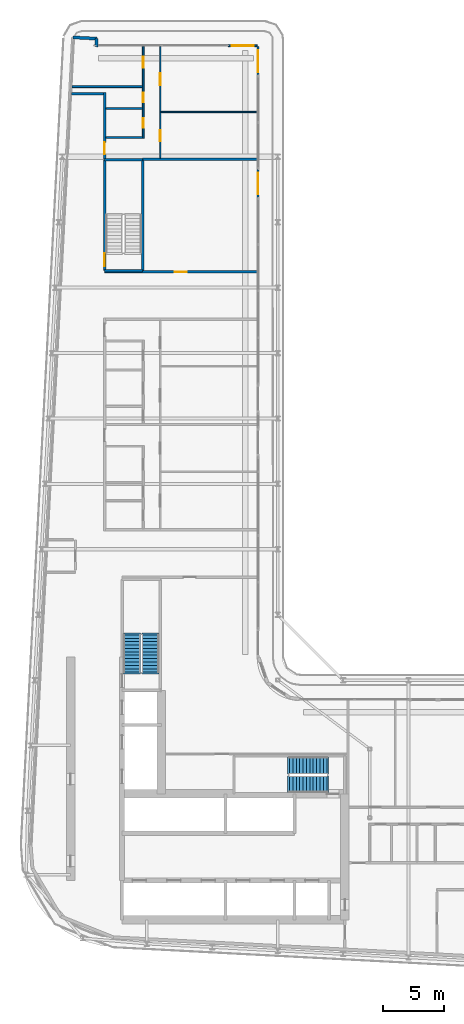
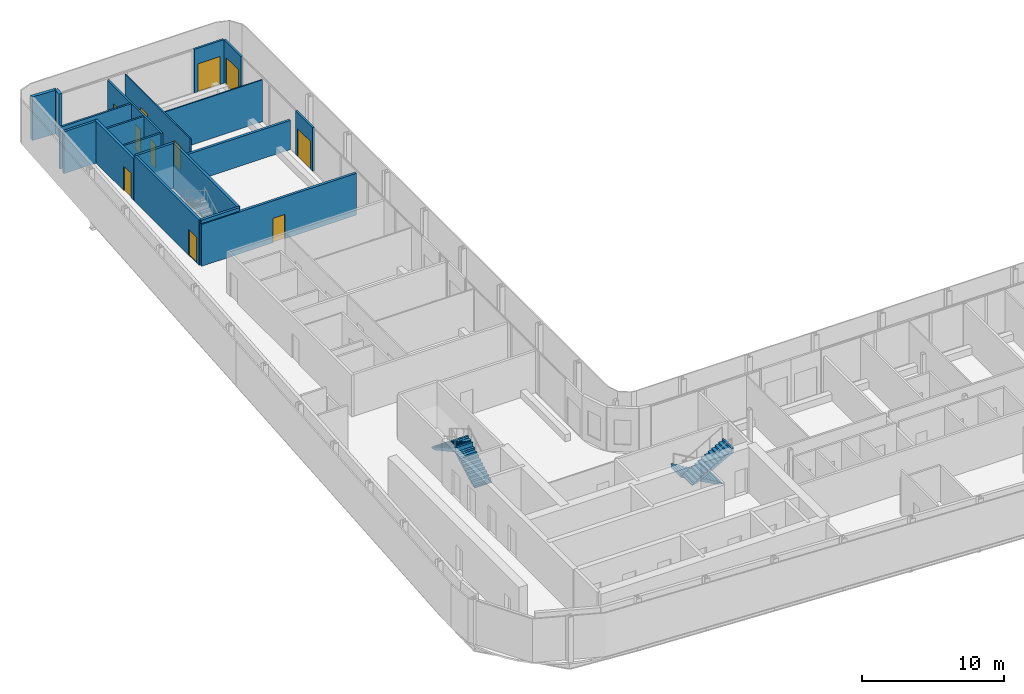
# One storey, part 14 of 22: 19 walls, 11 doors, 4 stair flights, 11 openings, 2 elements without a shape of their own.
"""IFC4 building model written with IfcOpenShell, lengths in metres."""

from ifc_helpers import new_model, si_unit, direction, frame, frame_2d, origin, place, context, subcontext, project, spatial, polyline, rectangle, outline, extrude, source, transform, mapped, material, layer, layer_set, type_object, element, fill, aggregate, save


model = new_model("IFC4")

# Units and contexts
model_context = context("Model", 3, precision=1e-05, world=origin(), true_north=direction((0.0, 1.0)))
body_context = subcontext(model_context, "Body", "Model", "MODEL_VIEW")
ifc_project = project(units=[si_unit("LENGTHUNIT", "METRE"), si_unit("AREAUNIT", "SQUARE_METRE"), si_unit("VOLUMEUNIT", "CUBIC_METRE"), si_unit("PLANEANGLEUNIT", "RADIAN"), si_unit("MASSUNIT", "GRAM", prefix="KILO")], contexts=[model_context])

# Site, building, storey
site_placement = place(None, origin())
site = spatial("IfcSite", under=ifc_project, at=site_placement, CompositionType="ELEMENT")
building_placement = place(site_placement, origin())
building = spatial("IfcBuilding", under=site, at=building_placement, Name="Kheshtan School and Residences Tower", CompositionType="ELEMENT")
storey_placement = place(building_placement, frame((0.0, 0.0, 255.199951171875)))
storey = spatial("IfcBuildingStorey", under=building, at=storey_placement, Name="L60", CompositionType="ELEMENT", Elevation=255.199951171875)

# Wall
ifc_material_1 = material(Name="Gypsum board on steel studs with fire boards", Category="steel")
ifc_layer_1 = layer(ifc_material_1, 0.199951171875)
ifc_layer_set_1 = layer_set([ifc_layer_1], Name="Corridor wall 200")
wall_type_1 = type_object("IfcWallType", Name="Corridor wall 200", PredefinedType="PARTITIONING", material=ifc_layer_set_1)
wall_1_placement = place(storey_placement, frame((30.584716796875, 94.0, 0.0), z_axis=(0.0, 0.0, 1.0), x_axis=(1.0, 0.0, 0.0)))
element("IfcWall", 1, at=wall_1_placement, inside=storey, type_object=wall_type_1, Name="Partition L60-002", PredefinedType="PARTITIONING", context=body_context, shape_type="SweptSolid", body=[
    extrude(rectangle(XDim=2.615234375, YDim=0.199951171875, at=frame_2d((1.3076171875, 0.0))), origin(), (0.0, 0.0, 1.0), 3.60009765625),
])

# Wall, opening, door
wall_2_placement = place(storey_placement, frame((33.300048828125, 79.300048828125, 0.0), z_axis=(0.0, 0.0, 1.0), x_axis=(1.0, 0.0, 0.0)))
wall_2 = element("IfcWall", 2, at=wall_2_placement, inside=storey, type_object=wall_type_1, Name="Partition L60-004", PredefinedType="PARTITIONING", context=body_context, shape_type="SweptSolid", body=[
    extrude(rectangle(XDim=12.599853515625, YDim=0.199951171875, at=frame_2d((6.2998046875, 0.0))), origin(), (0.0, 0.0, 1.0), 3.60009765625),
])
opening_1_placement = place(wall_2_placement, frame((5.794921875, 0.0, 0.0)))
opening_1 = element("IfcOpeningElement", 3, at=opening_1_placement, cuts=wall_2, Name="Opening D58-043", PredefinedType="OPENING", context=body_context, shape_type="SweptSolid", body=[
    extrude(rectangle(XDim=1.0, YDim=2.10009765625, at=frame_2d((0.5, 1.050048828125))), frame((0.0, 0.10986328125, 0.0), z_axis=(0.0, -1.0, 0.0), x_axis=(1.0, 0.0, 0.0)), (0.0, 0.0, 1.0), 0.219970703125),
])
ifc_material_2 = material(Name="Steel-framed fire-resisting door leaf", Category="steel")
door_type_1 = type_object("IfcDoorType", Name="Fire door FD60 1000 x 2100", OperationType="SINGLE_SWING_LEFT", PredefinedType="DOOR", material=ifc_material_2)
shared_shape_1 = source(origin(), body_context, "Body", "SweptSolid", [
    extrude(rectangle(XDim=1.0, YDim=2.10009765625, at=frame_2d((0.5, 1.050048828125))), frame((0.0, 0.02490234375, 0.0), z_axis=(0.0, -1.0, 0.0), x_axis=(1.0, 0.0, 0.0)), (0.0, 0.0, 1.0), 0.050048828125),
])
door_1_placement = place(opening_1_placement, origin())
door_1 = element("IfcDoor", 4, at=door_1_placement, inside=storey, type_object=door_type_1, Name="Door D58-043", OperationType="SINGLE_SWING_RIGHT", OverallHeight=2.10009765625, OverallWidth=1.0, PredefinedType="DOOR", context=body_context, shape_type="MappedRepresentation", body=[
    mapped(shared_shape_1, transform((0.0, 0.0, 0.0), x_axis=(1.0, 0.0, 0.0), y_axis=(0.0, 1.0, 0.0), z_axis=(0.0, 0.0, 1.0), scale=1.0)),
])
fill(opening_1, door_1)

wall_3_placement = place(storey_placement, frame((33.300048828125, 88.60009765625, 0.0), z_axis=(0.0, 0.0, 1.0), x_axis=(0.0, 1.0, 0.0)))
wall_3 = element("IfcWall", 5, at=wall_3_placement, inside=storey, type_object=wall_type_1, Name="Partition L60-005", PredefinedType="PARTITIONING", context=body_context, shape_type="SweptSolid", body=[
    extrude(rectangle(XDim=5.5, YDim=0.199951171875, at=frame_2d((2.75, 0.0))), origin(), (0.0, 0.0, 1.0), 3.60009765625),
])
opening_2_placement = place(wall_3_placement, frame((0.39990234375, 0.0, 0.0)))
opening_2 = element("IfcOpeningElement", 6, at=opening_2_placement, cuts=wall_3, Name="Opening D58-036", PredefinedType="OPENING", context=body_context, shape_type="SweptSolid", body=[
    extrude(rectangle(XDim=1.0, YDim=2.10009765625, at=frame_2d((0.5, 1.050048828125))), frame((0.0, 0.10986328125, 0.0), z_axis=(0.0, -1.0, 0.0), x_axis=(1.0, 0.0, 0.0)), (0.0, 0.0, 1.0), 0.219970703125),
])
door_type_2 = type_object("IfcDoorType", Name="Fire door FD30S 1000 x 2100", OperationType="SINGLE_SWING_LEFT", PredefinedType="DOOR", material=ifc_material_2)
shared_shape_2 = source(origin(), body_context, "Body", "SweptSolid", [
    extrude(rectangle(XDim=1.0, YDim=2.10009765625, at=frame_2d((0.5, 1.050048828125))), frame((0.0, 0.02490234375, 0.0), z_axis=(0.0, -1.0, 0.0), x_axis=(1.0, 0.0, 0.0)), (0.0, 0.0, 1.0), 0.050048828125),
])
door_2_placement = place(opening_2_placement, origin())
door_2 = element("IfcDoor", 7, at=door_2_placement, inside=storey, type_object=door_type_2, Name="Door D58-036", OperationType="SINGLE_SWING_LEFT", OverallHeight=2.10009765625, OverallWidth=1.0, PredefinedType="DOOR", context=body_context, shape_type="MappedRepresentation", body=[
    mapped(shared_shape_2, transform((0.0, 0.0, 0.0), x_axis=(1.0, 0.0, 0.0), y_axis=(0.0, 1.0, 0.0), z_axis=(0.0, 0.0, 1.0), scale=1.0)),
])
fill(opening_2, door_2)

# Walls
ifc_material_3 = material(Name="Concrete C40/50 with ceramic cladding and mineral wool insulation", Category="concrete")
ifc_layer_2 = layer(ifc_material_3, 0.25)
ifc_layer_set_2 = layer_set([ifc_layer_2], Name="External wall 250 ceramic clad")
wall_type_2 = type_object("IfcWallType", Name="External wall 250 ceramic clad", PredefinedType="SOLIDWALL", material=ifc_layer_set_2)
wall_4_placement = place(storey_placement, frame((30.705078125, 98.6640625, 0.0), z_axis=(0.0, 0.0, 1.0), x_axis=(0.998577785791, -0.053314216913, 0.0)))
element("IfcWall", 8, at=wall_4_placement, inside=storey, type_object=wall_type_2, Name="External wall L60 5", PredefinedType="SOLIDWALL", context=body_context, shape_type="SweptSolid", body=[
    extrude(rectangle(XDim=1.95068359375, YDim=0.25, at=frame_2d((0.975341796875, 0.0))), origin(), (0.0, 0.0, 1.0), 3.75),
])
wall_5_placement = place(storey_placement, frame((32.653076171875, 98.56005859375, 0.0), z_axis=(0.0, 0.0, 1.0), x_axis=(-0.054093451632, -0.998535877418, 0.0)))
element("IfcWall", 9, at=wall_5_placement, inside=storey, type_object=wall_type_2, Name="External wall L60 6", PredefinedType="SOLIDWALL", context=body_context, shape_type="SweptSolid", body=[
    extrude(rectangle(XDim=0.66796875, YDim=0.25, at=frame_2d((0.333984375, 0.0))), origin(), (0.0, 0.0, 1.0), 3.75),
])

# Wall, opening, door
ifc_material_4 = material(Name="Aluminium frame wall with insulated infill", Category="aluminium")
ifc_layer_3 = layer(ifc_material_4, 0.14990234375)
ifc_layer_set_3 = layer_set([ifc_layer_3], Name="Glazing frame wall 150")
wall_type_3 = type_object("IfcWallType", Name="Glazing frame wall 150", PredefinedType="SOLIDWALL", material=ifc_layer_set_3)
wall_6_placement = place(storey_placement, frame((43.5, 97.97509765625, 0.0), z_axis=(0.0, 0.0, 1.0), x_axis=(1.0, 0.0, 0.0)))
wall_6 = element("IfcWall", 10, at=wall_6_placement, inside=storey, type_object=wall_type_3, Name="Balcony door wall L60 7.1", PredefinedType="SOLIDWALL", context=body_context, shape_type="SweptSolid", body=[
    extrude(rectangle(XDim=2.39990234375, YDim=0.14990234375, at=frame_2d((1.199951171875, 0.0))), origin(), (0.0, 0.0, 1.0), 3.75),
])
opening_3_placement = place(wall_6_placement, frame((0.300048828125, 0.0, 0.0)))
opening_3 = element("IfcOpeningElement", 11, at=opening_3_placement, cuts=wall_6, Name="Opening BD", PredefinedType="OPENING", context=body_context, shape_type="SweptSolid", body=[
    extrude(rectangle(XDim=1.800048828125, YDim=2.39990234375, at=frame_2d((0.89990234375, 1.199951171875))), frame((0.0, 0.0849609375, 0.0), z_axis=(0.0, -1.0, 0.0), x_axis=(1.0, 0.0, 0.0)), (0.0, 0.0, 1.0), 0.169921875),
])
ifc_material_5 = material(Name="Clear low-e glass in thermally broken aluminium frame", Category="aluminium")
door_type_3 = type_object("IfcDoorType", Name="Balcony sliding door", OperationType="SLIDING_TO_LEFT", PredefinedType="DOOR", material=ifc_material_5)
shared_shape_3 = source(origin(), body_context, "Body", "SweptSolid", [
    extrude(rectangle(XDim=1.800048828125, YDim=2.39990234375, at=frame_2d((0.89990234375, 1.199951171875))), frame((0.0, 0.02490234375, 0.0), z_axis=(0.0, -1.0, 0.0), x_axis=(1.0, 0.0, 0.0)), (0.0, 0.0, 1.0), 0.050048828125),
])
door_3_placement = place(opening_3_placement, origin())
door_3 = element("IfcDoor", 12, at=door_3_placement, inside=storey, type_object=door_type_3, Name="Balcony door L60 7.1", OperationType="SLIDING_TO_LEFT", OverallHeight=2.39990234375, OverallWidth=1.800048828125, PredefinedType="DOOR", context=body_context, shape_type="MappedRepresentation", body=[
    mapped(shared_shape_3, transform((0.0, 0.0, 0.0), x_axis=(1.0, 0.0, 0.0), y_axis=(0.0, 1.0, 0.0), z_axis=(0.0, 0.0, 1.0), scale=1.0)),
])
fill(opening_3, door_3)

wall_7_placement = place(storey_placement, frame((45.97509765625, 97.89990234375, 0.0), z_axis=(0.0, 0.0, 1.0), x_axis=(0.0, -1.0, 0.0)))
wall_7 = element("IfcWall", 13, at=wall_7_placement, inside=storey, type_object=wall_type_3, Name="Balcony door wall L60 8.1", PredefinedType="SOLIDWALL", context=body_context, shape_type="SweptSolid", body=[
    extrude(rectangle(XDim=2.39990234375, YDim=0.14990234375, at=frame_2d((1.199951171875, 0.0))), origin(), (0.0, 0.0, 1.0), 3.75),
])
opening_4_placement = place(wall_7_placement, frame((0.300048828125, 0.0, 0.0)))
opening_4 = element("IfcOpeningElement", 14, at=opening_4_placement, cuts=wall_7, Name="Opening BD", PredefinedType="OPENING", context=body_context, shape_type="SweptSolid", body=[
    extrude(rectangle(XDim=1.800048828125, YDim=2.39990234375, at=frame_2d((0.89990234375, 1.199951171875))), frame((0.0, 0.0849609375, 0.0), z_axis=(0.0, -1.0, 0.0), x_axis=(1.0, 0.0, 0.0)), (0.0, 0.0, 1.0), 0.169921875),
])
door_4_placement = place(opening_4_placement, origin())
door_4 = element("IfcDoor", 15, at=door_4_placement, inside=storey, type_object=door_type_3, Name="Balcony door L60 8.1", OperationType="SLIDING_TO_LEFT", OverallHeight=2.39990234375, OverallWidth=1.800048828125, PredefinedType="DOOR", context=body_context, shape_type="MappedRepresentation", body=[
    mapped(shared_shape_3, transform((0.0, 0.0, 0.0), x_axis=(1.0, 0.0, 0.0), y_axis=(0.0, 1.0, 0.0), z_axis=(0.0, 0.0, 1.0), scale=1.0)),
])
fill(opening_4, door_4)

wall_8_placement = place(storey_placement, frame((45.97509765625, 87.805908203125, 0.0), z_axis=(0.0, 0.0, 1.0), x_axis=(0.0, -1.0, 0.0)))
wall_8 = element("IfcWall", 16, at=wall_8_placement, inside=storey, type_object=wall_type_3, Name="Balcony door wall L60 8.2", PredefinedType="SOLIDWALL", context=body_context, shape_type="SweptSolid", body=[
    extrude(rectangle(XDim=2.39990234375, YDim=0.14990234375, at=frame_2d((1.199951171875, 0.0))), origin(), (0.0, 0.0, 1.0), 3.75),
])
opening_5_placement = place(wall_8_placement, frame((0.300048828125, 0.0, 0.0)))
opening_5 = element("IfcOpeningElement", 17, at=opening_5_placement, cuts=wall_8, Name="Opening BD", PredefinedType="OPENING", context=body_context, shape_type="SweptSolid", body=[
    extrude(rectangle(XDim=1.800048828125, YDim=2.39990234375, at=frame_2d((0.89990234375, 1.199951171875))), frame((0.0, 0.0849609375, 0.0), z_axis=(0.0, -1.0, 0.0), x_axis=(1.0, 0.0, 0.0)), (0.0, 0.0, 1.0), 0.169921875),
])
door_5_placement = place(opening_5_placement, origin())
door_5 = element("IfcDoor", 18, at=door_5_placement, inside=storey, type_object=door_type_3, Name="Balcony door L60 8.2", OperationType="SLIDING_TO_LEFT", OverallHeight=2.39990234375, OverallWidth=1.800048828125, PredefinedType="DOOR", context=body_context, shape_type="MappedRepresentation", body=[
    mapped(shared_shape_3, transform((0.0, 0.0, 0.0), x_axis=(1.0, 0.0, 0.0), y_axis=(0.0, 1.0, 0.0), z_axis=(0.0, 0.0, 1.0), scale=1.0)),
])
fill(opening_5, door_5)

# Wall, openings, doors
ifc_material_6 = material(Name="Gypsum board on steel studs", Category="steel")
ifc_layer_4 = layer(ifc_material_6, 0.10009765625)
ifc_layer_set_4 = layer_set([ifc_layer_4], Name="Gypsum partition 100")
wall_type_4 = type_object("IfcWallType", Name="Gypsum partition 100", PredefinedType="PARTITIONING", material=ifc_layer_set_4)
wall_9_placement = place(storey_placement, frame((37.89990234375, 88.699951171875, 0.0), z_axis=(0.0, 0.0, 1.0), x_axis=(0.0, 1.0, 0.0)))
wall_9 = element("IfcWall", 19, at=wall_9_placement, inside=storey, type_object=wall_type_4, Name="Partition L60-024", PredefinedType="PARTITIONING", context=body_context, shape_type="SweptSolid", body=[
    extrude(rectangle(XDim=9.199951171875, YDim=0.10009765625, at=frame_2d((4.60009765625, 0.0))), origin(), (0.0, 0.0, 1.0), 3.60009765625),
])
opening_6_placement = place(wall_9_placement, frame((1.39990234375, 0.0, 0.0)))
opening_6 = element("IfcOpeningElement", 20, at=opening_6_placement, cuts=wall_9, Name="Opening D58-035", PredefinedType="OPENING", context=body_context, shape_type="SweptSolid", body=[
    extrude(rectangle(XDim=0.89990234375, YDim=2.10009765625, at=frame_2d((0.449951171875, 1.050048828125))), frame((0.0, 0.06005859375, 0.0), z_axis=(0.0, -1.0, 0.0), x_axis=(1.0, 0.0, 0.0)), (0.0, 0.0, 1.0), 0.1201171875),
])
opening_7_placement = place(wall_9_placement, frame((6.0, 0.0, 0.0)))
opening_7 = element("IfcOpeningElement", 21, at=opening_7_placement, cuts=wall_9, Name="Opening D58-038", PredefinedType="OPENING", context=body_context, shape_type="SweptSolid", body=[
    extrude(rectangle(XDim=1.0, YDim=2.10009765625, at=frame_2d((0.5, 1.050048828125))), frame((0.0, 0.06005859375, 0.0), z_axis=(0.0, -1.0, 0.0), x_axis=(1.0, 0.0, 0.0)), (0.0, 0.0, 1.0), 0.1201171875),
])
ifc_material_7 = material(Name="Veneered timber door leaf", Category="wood")
door_type_4 = type_object("IfcDoorType", Name="Door 1000 x 2100", OperationType="SINGLE_SWING_LEFT", PredefinedType="DOOR", material=ifc_material_7)
shared_shape_4 = source(origin(), body_context, "Body", "SweptSolid", [
    extrude(rectangle(XDim=1.0, YDim=2.10009765625, at=frame_2d((0.5, 1.050048828125))), frame((0.0, 0.02490234375, 0.0), z_axis=(0.0, -1.0, 0.0), x_axis=(1.0, 0.0, 0.0)), (0.0, 0.0, 1.0), 0.050048828125),
])
door_6_placement = place(opening_7_placement, origin())
door_6 = element("IfcDoor", 22, at=door_6_placement, inside=storey, type_object=door_type_4, Name="Door D58-038", OperationType="SINGLE_SWING_RIGHT", OverallHeight=2.10009765625, OverallWidth=1.0, PredefinedType="DOOR", context=body_context, shape_type="MappedRepresentation", body=[
    mapped(shared_shape_4, transform((0.0, 0.0, 0.0), x_axis=(1.0, 0.0, 0.0), y_axis=(0.0, 1.0, 0.0), z_axis=(0.0, 0.0, 1.0), scale=1.0)),
])
fill(opening_7, door_6)
door_type_5 = type_object("IfcDoorType", Name="Door 900 x 2100", OperationType="SINGLE_SWING_LEFT", PredefinedType="DOOR", material=ifc_material_7)
shared_shape_5 = source(origin(), body_context, "Body", "SweptSolid", [
    extrude(rectangle(XDim=0.89990234375, YDim=2.10009765625, at=frame_2d((0.449951171875, 1.050048828125))), frame((0.0, 0.02490234375, 0.0), z_axis=(0.0, -1.0, 0.0), x_axis=(1.0, 0.0, 0.0)), (0.0, 0.0, 1.0), 0.050048828125),
])
door_7_placement = place(opening_6_placement, origin())
door_7 = element("IfcDoor", 23, at=door_7_placement, inside=storey, type_object=door_type_5, Name="Door D58-035", OperationType="SINGLE_SWING_LEFT", OverallHeight=2.10009765625, OverallWidth=0.89990234375, PredefinedType="DOOR", context=body_context, shape_type="MappedRepresentation", body=[
    mapped(shared_shape_5, transform((0.0, 0.0, 0.0), x_axis=(1.0, 0.0, 0.0), y_axis=(0.0, 1.0, 0.0), z_axis=(0.0, 0.0, 1.0), scale=1.0)),
])
fill(opening_6, door_7)

# Walls
wall_10_placement = place(storey_placement, frame((37.949951171875, 92.5, 0.0), z_axis=(0.0, 0.0, 1.0), x_axis=(1.0, 0.0, 0.0)))
element("IfcWall", 24, at=wall_10_placement, inside=storey, type_object=wall_type_4, Name="Partition L60-027", PredefinedType="PARTITIONING", context=body_context, shape_type="SweptSolid", body=[
    extrude(rectangle(XDim=7.949951171875, YDim=0.10009765625, at=frame_2d((3.97509765625, 0.0))), origin(), (0.0, 0.0, 1.0), 3.60009765625),
])
ifc_material_8 = material(Name="Concrete C40/50", Category="concrete")
ifc_layer_5 = layer(ifc_material_8, 0.199951171875)
ifc_layer_set_5 = layer_set([ifc_layer_5], Name="Stair enclosure wall 200 Concrete C40/50")
wall_type_5 = type_object("IfcWallType", Name="Stair enclosure wall 200 Concrete C40/50", PredefinedType="SHEAR", material=ifc_layer_set_5)
for number, where, z_axis, x_axis, name in (
    (25, (33.300048828125, 79.39990234375, 0.0), (0.0, 0.0, 1.0), (1.0, 0.0, 0.0), "Stair enclosure wall ST3"),
    (26, (33.300048828125, 88.56005859375, 0.0), (0.0, 0.0, 1.0), (1.0, 0.0, 0.0), "Stair enclosure wall ST3"),
):
    element("IfcWall", number, at=place(storey_placement, frame(where, z_axis=z_axis, x_axis=x_axis)), inside=storey, type_object=wall_type_5, Name=name, PredefinedType="SHEAR", context=body_context, shape_type="SweptSolid", body=[
        extrude(rectangle(XDim=3.14990234375, YDim=0.199951171875, at=frame_2d((1.574951171875, 0.0))), origin(), (0.0, 0.0, 1.0), 3.900146484375),
    ])

# Wall, opening, door
wall_11_placement = place(storey_placement, frame((33.300048828125, 79.39990234375, 0.0), z_axis=(0.0, 0.0, 1.0), x_axis=(0.0, 1.0, 0.0)))
wall_11 = element("IfcWall", 27, at=wall_11_placement, inside=storey, type_object=wall_type_5, Name="Stair enclosure wall ST3", PredefinedType="SHEAR", context=body_context, shape_type="SweptSolid", body=[
    extrude(rectangle(XDim=9.16015625, YDim=0.199951171875, at=frame_2d((4.580078125, 0.0))), origin(), (0.0, 0.0, 1.0), 3.900146484375),
])
opening_8_placement = place(wall_11_placement, frame((0.35009765625, 0.0, 0.0)))
opening_8 = element("IfcOpeningElement", 28, at=opening_8_placement, cuts=wall_11, Name="Opening ST3D", PredefinedType="OPENING", context=body_context, shape_type="SweptSolid", body=[
    extrude(rectangle(XDim=1.10009765625, YDim=2.199951171875, at=frame_2d((0.550048828125, 1.10009765625))), frame((0.0, 0.10986328125, 0.0), z_axis=(0.0, -1.0, 0.0), x_axis=(1.0, 0.0, 0.0)), (0.0, 0.0, 1.0), 0.219970703125),
])
ifc_material_9 = material(Name="Steel door leaf, galvanised", Category="steel")
door_type_6 = type_object("IfcDoorType", Name="Stair door 1100 steel 90 min", OperationType="SINGLE_SWING_LEFT", PredefinedType="DOOR", material=ifc_material_9)
shared_shape_6 = source(origin(), body_context, "Body", "SweptSolid", [
    extrude(rectangle(XDim=1.10009765625, YDim=2.199951171875, at=frame_2d((0.550048828125, 1.10009765625))), frame((0.0, 0.02490234375, 0.0), z_axis=(0.0, -1.0, 0.0), x_axis=(1.0, 0.0, 0.0)), (0.0, 0.0, 1.0), 0.050048828125),
])
door_8_placement = place(opening_8_placement, origin())
door_8 = element("IfcDoor", 29, at=door_8_placement, inside=storey, type_object=door_type_6, Name="Stair ST3 door", OperationType="SINGLE_SWING_RIGHT", OverallHeight=2.199951171875, OverallWidth=1.10009765625, PredefinedType="DOOR", context=body_context, shape_type="MappedRepresentation", body=[
    mapped(shared_shape_6, transform((0.0, 0.0, 0.0), x_axis=(1.0, 0.0, 0.0), y_axis=(0.0, 1.0, 0.0), z_axis=(0.0, 0.0, 1.0), scale=1.0)),
])
fill(opening_8, door_8)

# Walls
wall_12_placement = place(storey_placement, frame((36.449951171875, 79.39990234375, 0.0), z_axis=(0.0, 0.0, 1.0), x_axis=(0.0, 1.0, 0.0)))
element("IfcWall", 30, at=wall_12_placement, inside=storey, type_object=wall_type_5, Name="Stair enclosure wall ST3", PredefinedType="SHEAR", context=body_context, shape_type="SweptSolid", body=[
    extrude(rectangle(XDim=9.16015625, YDim=0.199951171875, at=frame_2d((4.580078125, 0.0))), origin(), (0.0, 0.0, 1.0), 3.900146484375),
])
ifc_material_10 = material(Name="Twin gypsum board on steel studs with mineral wool", Category="steel")
ifc_layer_6 = layer(ifc_material_10, 0.199951171875)
ifc_layer_set_6 = layer_set([ifc_layer_6], Name="Unit demising wall 200")
wall_type_6 = type_object("IfcWallType", Name="Unit demising wall 200", PredefinedType="PARTITIONING", material=ifc_layer_set_6)
wall_13_placement = place(storey_placement, frame((36.449951171875, 88.60009765625, 0.0), z_axis=(0.0, 0.0, 1.0), x_axis=(1.0, 0.0, 0.0)))
element("IfcWall", 31, at=wall_13_placement, inside=storey, type_object=wall_type_6, Name="Partition L60-020", PredefinedType="PARTITIONING", context=body_context, shape_type="SweptSolid", body=[
    extrude(rectangle(XDim=9.449951171875, YDim=0.199951171875, at=frame_2d((4.72509765625, 0.0))), origin(), (0.0, 0.0, 1.0), 2.5),
])
ifc_material_11 = material(Name="Moisture-resistant gypsum board on steel studs", Category="steel")
ifc_layer_7 = layer(ifc_material_11, 0.14990234375)
ifc_layer_set_7 = layer_set([ifc_layer_7], Name="Wet-room partition 150")
wall_type_7 = type_object("IfcWallType", Name="Wet-room partition 150", PredefinedType="PARTITIONING", material=ifc_layer_set_7)
wall_14_placement = place(storey_placement, frame((30.616943359375, 94.60009765625, 0.0), z_axis=(0.0, 0.0, 1.0), x_axis=(1.0, 0.0, 0.0)))
element("IfcWall", 32, at=wall_14_placement, inside=storey, type_object=wall_type_7, Name="Partition L60-001", PredefinedType="PARTITIONING", context=body_context, shape_type="SweptSolid", body=[
    extrude(rectangle(XDim=5.80810546875, YDim=0.14990234375, at=frame_2d((2.904052734375, 0.0))), origin(), (0.0, 0.0, 1.0), 3.60009765625),
])
for number, where, z_axis, x_axis, name in (
    (33, (33.39990234375, 90.39990234375, 0.0), (0.0, 0.0, 1.0), (1.0, 0.0, 0.0), "Partition L60-015"),
    (34, (33.39990234375, 92.800048828125, 0.0), (0.0, 0.0, 1.0), (1.0, 0.0, 0.0), "Partition L60-016"),
):
    element("IfcWall", number, at=place(storey_placement, frame(where, z_axis=z_axis, x_axis=x_axis)), inside=storey, type_object=wall_type_7, Name=name, PredefinedType="PARTITIONING", context=body_context, shape_type="SweptSolid", body=[
        extrude(rectangle(XDim=3.025146484375, YDim=0.14990234375, at=frame_2d((1.5126953125, 0.0))), origin(), (0.0, 0.0, 1.0), 3.60009765625),
    ])

# Wall, openings, doors
wall_15_placement = place(storey_placement, frame((36.5, 90.324951171875, 0.0), z_axis=(0.0, 0.0, 1.0), x_axis=(0.0, 1.0, 0.0)))
wall_15 = element("IfcWall", 35, at=wall_15_placement, inside=storey, type_object=wall_type_7, Name="Partition L60-021", PredefinedType="PARTITIONING", context=body_context, shape_type="SweptSolid", body=[
    extrude(rectangle(XDim=7.574951171875, YDim=0.14990234375, at=frame_2d((3.78759765625, 0.0))), origin(), (0.0, 0.0, 1.0), 3.60009765625),
])
opening_9_placement = place(wall_15_placement, frame((0.875, 0.0, 0.0)))
opening_9 = element("IfcOpeningElement", 36, at=opening_9_placement, cuts=wall_15, Name="Opening D58-034", PredefinedType="OPENING", context=body_context, shape_type="SweptSolid", body=[
    extrude(rectangle(XDim=0.800048828125, YDim=2.10009765625, at=frame_2d((0.39990234375, 1.050048828125))), frame((0.0, 0.0849609375, 0.0), z_axis=(0.0, -1.0, 0.0), x_axis=(1.0, 0.0, 0.0)), (0.0, 0.0, 1.0), 0.169921875),
])
opening_10_placement = place(wall_15_placement, frame((5.824951171875, 0.0, 0.0)))
opening_10 = element("IfcOpeningElement", 37, at=opening_10_placement, cuts=wall_15, Name="Opening D58-037", PredefinedType="OPENING", context=body_context, shape_type="SweptSolid", body=[
    extrude(rectangle(XDim=0.89990234375, YDim=2.10009765625, at=frame_2d((0.449951171875, 1.050048828125))), frame((0.0, 0.0849609375, 0.0), z_axis=(0.0, -1.0, 0.0), x_axis=(1.0, 0.0, 0.0)), (0.0, 0.0, 1.0), 0.169921875),
])
opening_11_placement = place(wall_15_placement, frame((2.97509765625, 0.0, 0.0)))
opening_11 = element("IfcOpeningElement", 38, at=opening_11_placement, cuts=wall_15, Name="Opening D58-039", PredefinedType="OPENING", context=body_context, shape_type="SweptSolid", body=[
    extrude(rectangle(XDim=0.800048828125, YDim=2.10009765625, at=frame_2d((0.39990234375, 1.050048828125))), frame((0.0, 0.0849609375, 0.0), z_axis=(0.0, -1.0, 0.0), x_axis=(1.0, 0.0, 0.0)), (0.0, 0.0, 1.0), 0.169921875),
])
door_type_7 = type_object("IfcDoorType", Name="Door 800 x 2100", OperationType="SINGLE_SWING_LEFT", PredefinedType="DOOR", material=ifc_material_7)
shared_shape_7 = source(origin(), body_context, "Body", "SweptSolid", [
    extrude(rectangle(XDim=0.800048828125, YDim=2.10009765625, at=frame_2d((0.39990234375, 1.050048828125))), frame((0.0, 0.02490234375, 0.0), z_axis=(0.0, -1.0, 0.0), x_axis=(1.0, 0.0, 0.0)), (0.0, 0.0, 1.0), 0.050048828125),
])
door_9_placement = place(opening_9_placement, origin())
door_9 = element("IfcDoor", 39, at=door_9_placement, inside=storey, type_object=door_type_7, Name="Door D58-034", OperationType="SINGLE_SWING_LEFT", OverallHeight=2.10009765625, OverallWidth=0.800048828125, PredefinedType="DOOR", context=body_context, shape_type="MappedRepresentation", body=[
    mapped(shared_shape_7, transform((0.0, 0.0, 0.0), x_axis=(1.0, 0.0, 0.0), y_axis=(0.0, 1.0, 0.0), z_axis=(0.0, 0.0, 1.0), scale=1.0)),
])
fill(opening_9, door_9)
door_10_placement = place(opening_11_placement, origin())
door_10 = element("IfcDoor", 40, at=door_10_placement, inside=storey, type_object=door_type_7, Name="Door D58-039", OperationType="SINGLE_SWING_RIGHT", OverallHeight=2.10009765625, OverallWidth=0.800048828125, PredefinedType="DOOR", context=body_context, shape_type="MappedRepresentation", body=[
    mapped(shared_shape_7, transform((0.0, 0.0, 0.0), x_axis=(1.0, 0.0, 0.0), y_axis=(0.0, 1.0, 0.0), z_axis=(0.0, 0.0, 1.0), scale=1.0)),
])
fill(opening_11, door_10)
door_11_placement = place(opening_10_placement, origin())
door_11 = element("IfcDoor", 41, at=door_11_placement, inside=storey, type_object=door_type_5, Name="Door D58-037", OperationType="SINGLE_SWING_LEFT", OverallHeight=2.10009765625, OverallWidth=0.89990234375, PredefinedType="DOOR", context=body_context, shape_type="MappedRepresentation", body=[
    mapped(shared_shape_5, transform((0.0, 0.0, 0.0), x_axis=(1.0, 0.0, 0.0), y_axis=(0.0, 1.0, 0.0), z_axis=(0.0, 0.0, 1.0), scale=1.0)),
])
fill(opening_10, door_11)

# Stair, stair flights
stair_type = type_object("IfcStairType", Name="Exit stair, half-turn", PredefinedType="HALF_TURN_STAIR", material=ifc_material_8)
stair_1_placement = place(storey_placement, origin())
stair_1 = element("IfcStair", 42, at=stair_1_placement, inside=storey, type_object=stair_type, Name="L60 Protected Exit Stair ST1", PredefinedType="HALF_TURN_STAIR")
ifc_layer_8 = layer(ifc_material_8, 0.14990234375)
ifc_layer_set_8 = layer_set([ifc_layer_8], Name="Stair flight 1400 Concrete C40/50")
stair_flight_type = type_object("IfcStairFlightType", Name="Stair flight 1400 Concrete C40/50", PredefinedType="STRAIGHT", material=ifc_layer_set_8)
stair_flight_1_placement = place(storey_placement, frame((51.64990234375, 38.550048828125, 0.0), z_axis=(0.0, 0.0, 1.0), x_axis=(-1.0, 0.0, 0.0)))
stair_flight_1 = element("IfcStairFlight", 43, at=stair_flight_1_placement, type_object=stair_flight_type, Name="ST1 flight 1", NumberOfRisers=12, NumberOfTreads=11, PredefinedType="STRAIGHT", RiserHeight=0.1625, TreadLength=0.28, context=body_context, shape_type="SweptSolid", body=[
    extrude(outline(polyline([(-0.14990234375, -0.10009765625), (-0.14990234375, 0.0), (0.0, 0.0), (0.0, 0.16259765625), (0.280029296875, 0.16259765625), (0.280029296875, 0.324951171875), (0.56005859375, 0.324951171875), (0.56005859375, 0.487548828125), (0.840087890625, 0.487548828125), (0.840087890625, 0.64990234375), (1.1201171875, 0.64990234375), (1.1201171875, 0.8125), (1.39990234375, 0.8125), (1.39990234375, 0.97509765625), (1.679931640625, 0.97509765625), (1.679931640625, 1.137451171875), (1.9599609375, 1.137451171875), (1.9599609375, 1.300048828125), (2.239990234375, 1.300048828125), (2.239990234375, 1.46240234375), (2.52001953125, 1.46240234375), (2.52001953125, 1.625), (2.800048828125, 1.625), (2.800048828125, 1.78759765625), (3.080078125, 1.78759765625), (3.080078125, 1.949951171875), (3.080078125, 1.969970703125), (3.22998046875, 1.969970703125), (3.22998046875, 1.6142578125), (0.298583984375, 0.0), (-0.14990234375, -0.10009765625)])), frame((0.0, 0.699951171875, 0.0), z_axis=(0.0, -1.0, 0.0), x_axis=(1.0, 0.0, 0.0)), (0.0, 0.0, 1.0), 1.39990234375),
])
stair_flight_2_placement = place(storey_placement, frame((48.570068359375, 37.0, 1.949951171875), z_axis=(0.0, 0.0, 1.0), x_axis=(1.0, 0.0, 0.0)))
stair_flight_2 = element("IfcStairFlight", 44, at=stair_flight_2_placement, type_object=stair_flight_type, Name="ST1 flight 2", NumberOfRisers=12, NumberOfTreads=11, PredefinedType="STRAIGHT", RiserHeight=0.1625, TreadLength=0.28, context=body_context, shape_type="SweptSolid", body=[
    extrude(outline(polyline([(-0.14990234375, -0.10009765625), (-0.14990234375, 0.0), (0.0, 0.0), (0.0, 0.16259765625), (0.280029296875, 0.16259765625), (0.280029296875, 0.324951171875), (0.56005859375, 0.324951171875), (0.56005859375, 0.487548828125), (0.840087890625, 0.487548828125), (0.840087890625, 0.64990234375), (1.1201171875, 0.64990234375), (1.1201171875, 0.8125), (1.39990234375, 0.8125), (1.39990234375, 0.97509765625), (1.679931640625, 0.97509765625), (1.679931640625, 1.137451171875), (1.9599609375, 1.137451171875), (1.9599609375, 1.300048828125), (2.239990234375, 1.300048828125), (2.239990234375, 1.46240234375), (2.52001953125, 1.46240234375), (2.52001953125, 1.625), (2.800048828125, 1.625), (2.800048828125, 1.78759765625), (3.080078125, 1.78759765625), (3.080078125, 1.949951171875), (3.080078125, 1.969970703125), (3.22998046875, 1.969970703125), (3.22998046875, 1.6142578125), (0.298583984375, 0.0), (-0.14990234375, -0.10009765625)])), frame((0.0, 0.699951171875, 0.0), z_axis=(0.0, -1.0, 0.0), x_axis=(1.0, 0.0, 0.0)), (0.0, 0.0, 1.0), 1.39990234375),
])
aggregate(stair_1, [stair_flight_1, stair_flight_2])

stair_2_placement = place(storey_placement, origin())
stair_2 = element("IfcStair", 45, at=stair_2_placement, inside=storey, type_object=stair_type, Name="L60 Protected Exit Stair ST2", PredefinedType="HALF_TURN_STAIR")
stair_flight_3_placement = place(storey_placement, frame((37.10009765625, 46.25, 0.0), z_axis=(0.0, 0.0, 1.0), x_axis=(0.0, 1.0, 0.0)))
stair_flight_3 = element("IfcStairFlight", 46, at=stair_flight_3_placement, type_object=stair_flight_type, Name="ST2 flight 1", NumberOfRisers=12, NumberOfTreads=11, PredefinedType="STRAIGHT", RiserHeight=0.1625, TreadLength=0.28, context=body_context, shape_type="SweptSolid", body=[
    extrude(outline(polyline([(-0.14990234375, -0.10009765625), (-0.14990234375, 0.0), (0.0, 0.0), (0.0, 0.16259765625), (0.280029296875, 0.16259765625), (0.280029296875, 0.324951171875), (0.56005859375, 0.324951171875), (0.56005859375, 0.487548828125), (0.840087890625, 0.487548828125), (0.840087890625, 0.64990234375), (1.1201171875, 0.64990234375), (1.1201171875, 0.8125), (1.39990234375, 0.8125), (1.39990234375, 0.97509765625), (1.679931640625, 0.97509765625), (1.679931640625, 1.137451171875), (1.9599609375, 1.137451171875), (1.9599609375, 1.300048828125), (2.239990234375, 1.300048828125), (2.239990234375, 1.46240234375), (2.52001953125, 1.46240234375), (2.52001953125, 1.625), (2.800048828125, 1.625), (2.800048828125, 1.78759765625), (3.080078125, 1.78759765625), (3.080078125, 1.949951171875), (3.080078125, 1.969970703125), (3.22998046875, 1.969970703125), (3.22998046875, 1.6142578125), (0.298583984375, 0.0), (-0.14990234375, -0.10009765625)])), frame((0.0, 0.699951171875, 0.0), z_axis=(0.0, -1.0, 0.0), x_axis=(1.0, 0.0, 0.0)), (0.0, 0.0, 1.0), 1.39990234375),
])
stair_flight_4_placement = place(storey_placement, frame((35.550048828125, 49.330078125, 1.949951171875), z_axis=(0.0, 0.0, 1.0), x_axis=(0.0, -1.0, 0.0)))
stair_flight_4 = element("IfcStairFlight", 47, at=stair_flight_4_placement, type_object=stair_flight_type, Name="ST2 flight 2", NumberOfRisers=12, NumberOfTreads=11, PredefinedType="STRAIGHT", RiserHeight=0.1625, TreadLength=0.28, context=body_context, shape_type="SweptSolid", body=[
    extrude(outline(polyline([(-0.14990234375, -0.10009765625), (-0.14990234375, 0.0), (0.0, 0.0), (0.0, 0.16259765625), (0.280029296875, 0.16259765625), (0.280029296875, 0.324951171875), (0.56005859375, 0.324951171875), (0.56005859375, 0.487548828125), (0.840087890625, 0.487548828125), (0.840087890625, 0.64990234375), (1.1201171875, 0.64990234375), (1.1201171875, 0.8125), (1.39990234375, 0.8125), (1.39990234375, 0.97509765625), (1.679931640625, 0.97509765625), (1.679931640625, 1.137451171875), (1.9599609375, 1.137451171875), (1.9599609375, 1.300048828125), (2.239990234375, 1.300048828125), (2.239990234375, 1.46240234375), (2.52001953125, 1.46240234375), (2.52001953125, 1.625), (2.800048828125, 1.625), (2.800048828125, 1.78759765625), (3.080078125, 1.78759765625), (3.080078125, 1.949951171875), (3.080078125, 1.969970703125), (3.22998046875, 1.969970703125), (3.22998046875, 1.6142578125), (0.298583984375, 0.0), (-0.14990234375, -0.10009765625)])), frame((0.0, 0.699951171875, 0.0), z_axis=(0.0, -1.0, 0.0), x_axis=(1.0, 0.0, 0.0)), (0.0, 0.0, 1.0), 1.39990234375),
])
aggregate(stair_2, [stair_flight_3, stair_flight_4])

save(model, "model.ifc")
